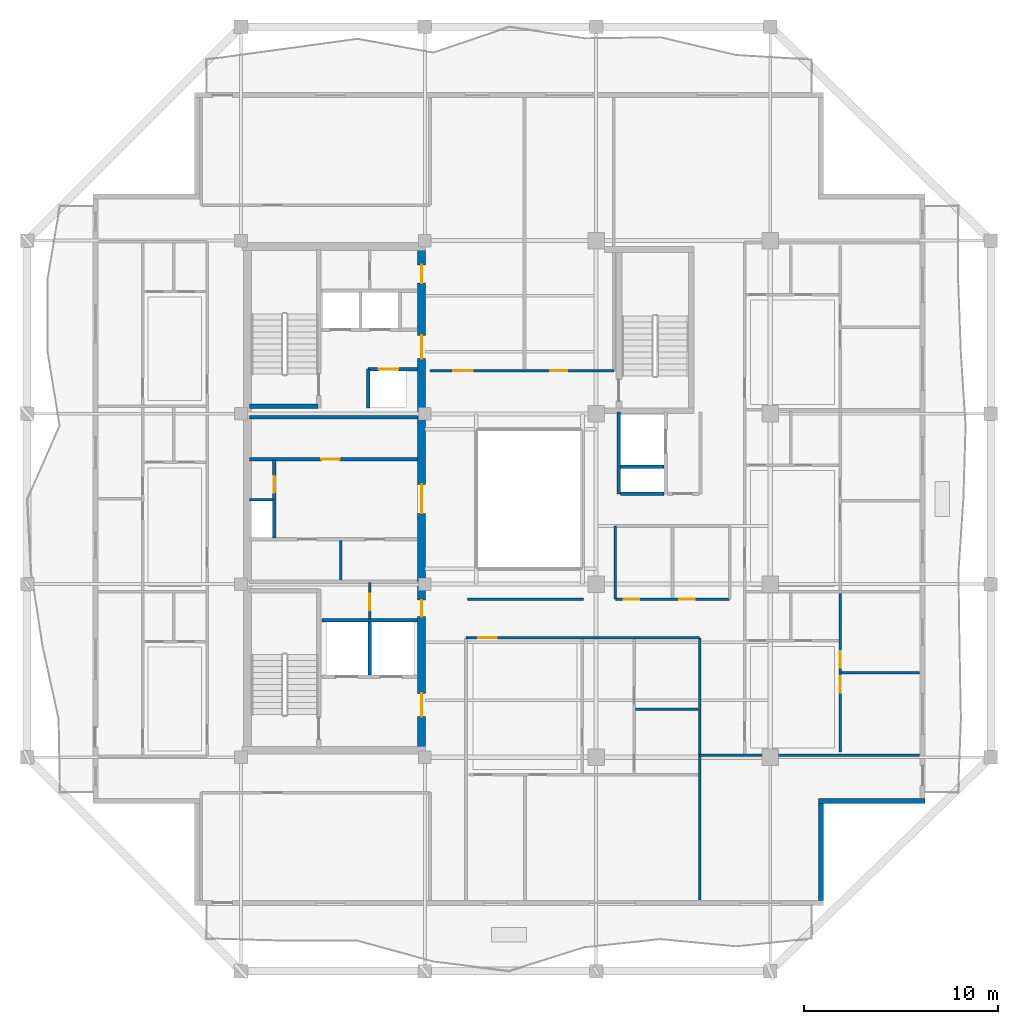
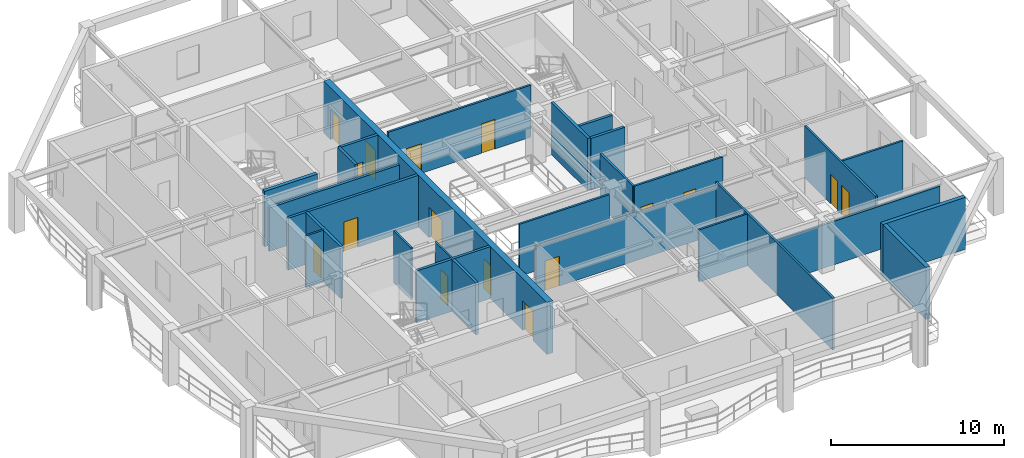
# One storey, part 4 of 13: 27 walls, 16 doors, 16 openings.
"""IFC4 building model written with IfcOpenShell, lengths in metres."""

from ifc_helpers import new_model, si_unit, direction, frame, frame_2d, origin, place, context, subcontext, project, spatial, rectangle, extrude, material, layer, layer_set, type_object, element, fill, save


model = new_model("IFC4")

# Units and contexts
model_context = context("Model", 3, precision=1e-05, world=origin(), true_north=direction((0.0, 1.0)))
body_context = subcontext(model_context, "Body", "Model", "MODEL_VIEW")
ifc_project = project(units=[si_unit("LENGTHUNIT", "METRE"), si_unit("AREAUNIT", "SQUARE_METRE"), si_unit("VOLUMEUNIT", "CUBIC_METRE"), si_unit("PLANEANGLEUNIT", "RADIAN"), si_unit("MASSUNIT", "GRAM", prefix="KILO")], contexts=[model_context])

# Site, building, storey
site_placement = place(None, origin())
site = spatial("IfcSite", under=ifc_project, at=site_placement, CompositionType="ELEMENT")
building_placement = place(site_placement, origin())
building = spatial("IfcBuilding", under=site, at=building_placement, Name="Kundavana Baori Tower", CompositionType="ELEMENT")
storey_placement = place(building_placement, frame((0.0, 0.0, 225.800048828125)))
storey = spatial("IfcBuildingStorey", under=building, at=storey_placement, Name="L55", CompositionType="ELEMENT", Elevation=225.800048828125)

# Wall, openings, doors
ifc_material_1 = material(Name="Concrete C50/60", Category="concrete")
ifc_layer_1 = layer(ifc_material_1, 0.39990234375, Name="WL-CORE-400")
ifc_layer_set_1 = layer_set([ifc_layer_1], Name="Concrete C50/60")
wall_type_1 = type_object("IfcWallType", Name="WL-CORE-400", PredefinedType="SHEAR", material=ifc_layer_set_1)
wall_1_placement = place(storey_placement, frame((24.780029296875, 15.739990234375, 0.0), z_axis=(0.0, 0.0, 1.0), x_axis=(0.0, 1.0, 0.0)))
wall_1 = element("IfcWall", 1, at=wall_1_placement, inside=storey, type_object=wall_type_1, Name="L55 Offset Core East Shear Wall", PredefinedType="SHEAR", context=body_context, shape_type="SweptSolid", body=[
    extrude(rectangle(XDim=25.760009765625, YDim=0.39990234375, at=frame_2d((12.8798828125, 0.0))), origin(), (0.0, 0.0, 1.0), 3.659912109375),
])
opening_1_placement = place(wall_1_placement, frame((1.610107421875, 0.0, 0.0)))
opening_1 = element("IfcOpeningElement", 2, at=opening_1_placement, cuts=wall_1, Name="Opening FD-120", PredefinedType="OPENING", context=body_context, shape_type="SweptSolid", body=[
    extrude(rectangle(XDim=1.199951171875, YDim=2.10009765625, at=frame_2d((0.60009765625, 1.050048828125))), frame((0.0, 0.2099609375, 0.0), z_axis=(0.0, -1.0, 0.0), x_axis=(1.0, 0.0, 0.0)), (0.0, 0.0, 1.0), 0.419921875),
])
opening_2_placement = place(wall_1_placement, frame((6.780029296875, 0.0, 0.0)))
opening_2 = element("IfcOpeningElement", 3, at=opening_2_placement, cuts=wall_1, Name="Opening FD-085", PredefinedType="OPENING", context=body_context, shape_type="SweptSolid", body=[
    extrude(rectangle(XDim=0.85009765625, YDim=2.06005859375, at=frame_2d((0.425048828125, 1.030029296875))), frame((0.0, 0.2099609375, 0.0), z_axis=(0.0, -1.0, 0.0), x_axis=(1.0, 0.0, 0.0)), (0.0, 0.0, 1.0), 0.419921875),
])
opening_3_placement = place(wall_1_placement, frame((12.110107421875, 0.0, 0.0)))
opening_3 = element("IfcOpeningElement", 4, at=opening_3_placement, cuts=wall_1, Name="Opening FD-150", PredefinedType="OPENING", context=body_context, shape_type="SweptSolid", body=[
    extrude(rectangle(XDim=1.5, YDim=2.1201171875, at=frame_2d((0.75, 1.06005859375))), frame((0.0, 0.2099609375, 0.0), z_axis=(0.0, -1.0, 0.0), x_axis=(1.0, 0.0, 0.0)), (0.0, 0.0, 1.0), 0.419921875),
])
opening_4_placement = place(wall_1_placement, frame((20.110107421875, 0.0, 0.0)))
opening_4 = element("IfcOpeningElement", 5, at=opening_4_placement, cuts=wall_1, Name="Opening FD-122", PredefinedType="OPENING", context=body_context, shape_type="SweptSolid", body=[
    extrude(rectangle(XDim=1.199951171875, YDim=2.1201171875, at=frame_2d((0.60009765625, 1.06005859375))), frame((0.0, 0.2099609375, 0.0), z_axis=(0.0, -1.0, 0.0), x_axis=(1.0, 0.0, 0.0)), (0.0, 0.0, 1.0), 0.419921875),
])
opening_5_placement = place(wall_1_placement, frame((24.010009765625, 0.0, 0.0)))
opening_5 = element("IfcOpeningElement", 6, at=opening_5_placement, cuts=wall_1, Name="Opening FD-095", PredefinedType="OPENING", context=body_context, shape_type="SweptSolid", body=[
    extrude(rectangle(XDim=0.949951171875, YDim=2.10009765625, at=frame_2d((0.47509765625, 1.050048828125))), frame((0.0, 0.2099609375, 0.0), z_axis=(0.0, -1.0, 0.0), x_axis=(1.0, 0.0, 0.0)), (0.0, 0.0, 1.0), 0.419921875),
])
ifc_material_2 = material(Name="Galvanised Steel Fire-Rated Door Leaf", Category="steel")
door_type_1 = type_object("IfcDoorType", Name="DR-FD120-1200", OperationType="NOTDEFINED", PredefinedType="DOOR", material=ifc_material_2)
door_1_placement = place(opening_1_placement, frame((1.199951171875, 0.0, 0.0), z_axis=(0.0, 0.0, 1.0), x_axis=(-1.0, 0.0, 0.0)))
door_1 = element("IfcDoor", 7, at=door_1_placement, inside=storey, type_object=door_type_1, Name="DR-L55-FFLOB-E", OperationType="SINGLE_SWING_RIGHT", OverallHeight=2.10009765625, OverallWidth=1.199951171875, PredefinedType="DOOR", context=body_context, shape_type="SweptSolid", body=[
    extrude(rectangle(XDim=1.199951171875, YDim=2.10009765625, at=frame_2d((0.60009765625, 1.050048828125))), frame((0.0, 0.02490234375, 0.0), z_axis=(0.0, -1.0, 0.0), x_axis=(1.0, 0.0, 0.0)), (0.0, 0.0, 1.0), 0.050048828125),
])
fill(opening_1, door_1)
ifc_material_3 = material(Name="Galvanised Steel Fire-Rated Door Leaf", Category="steel")
door_type_2 = type_object("IfcDoorType", Name="DR-FD60-1200", OperationType="NOTDEFINED", PredefinedType="DOOR", material=ifc_material_3)
door_2_placement = place(opening_4_placement, frame((1.199951171875, 0.0, 0.0), z_axis=(0.0, 0.0, 1.0), x_axis=(-1.0, 0.0, 0.0)))
door_2 = element("IfcDoor", 8, at=door_2_placement, inside=storey, type_object=door_type_2, Name="DR-L55-HRLOB-E", OperationType="SINGLE_SWING_RIGHT", OverallHeight=2.1201171875, OverallWidth=1.199951171875, PredefinedType="DOOR", context=body_context, shape_type="SweptSolid", body=[
    extrude(rectangle(XDim=1.199951171875, YDim=2.1201171875, at=frame_2d((0.60009765625, 1.06005859375))), frame((0.0, 0.02490234375, 0.0), z_axis=(0.0, -1.0, 0.0), x_axis=(1.0, 0.0, 0.0)), (0.0, 0.0, 1.0), 0.050048828125),
])
fill(opening_4, door_2)
ifc_material_4 = material(Name="Galvanised Steel Fire-Rated Door Leaf", Category="steel")
door_type_3 = type_object("IfcDoorType", Name="DR-FD60-1500", OperationType="NOTDEFINED", PredefinedType="DOOR", material=ifc_material_4)
door_3_placement = place(opening_3_placement, frame((1.5, 0.0, 0.0), z_axis=(0.0, 0.0, 1.0), x_axis=(-1.0, 0.0, 0.0)))
door_3 = element("IfcDoor", 9, at=door_3_placement, inside=storey, type_object=door_type_3, Name="DR-L55-LIFTHALL-E", OperationType="SINGLE_SWING_LEFT", OverallHeight=2.1201171875, OverallWidth=1.5, PredefinedType="DOOR", context=body_context, shape_type="SweptSolid", body=[
    extrude(rectangle(XDim=1.5, YDim=2.1201171875, at=frame_2d((0.75, 1.06005859375))), frame((0.0, 0.02490234375, 0.0), z_axis=(0.0, -1.0, 0.0), x_axis=(1.0, 0.0, 0.0)), (0.0, 0.0, 1.0), 0.050048828125),
])
fill(opening_3, door_3)
ifc_material_5 = material(Name="Galvanised Steel Fire-Rated Door Leaf", Category="steel")
door_type_4 = type_object("IfcDoorType", Name="DR-FD60-850", OperationType="NOTDEFINED", PredefinedType="DOOR", material=ifc_material_5)
door_4_placement = place(opening_2_placement, frame((0.85009765625, 0.0, 0.0), z_axis=(0.0, 0.0, 1.0), x_axis=(-1.0, 0.0, 0.0)))
door_4 = element("IfcDoor", 10, at=door_4_placement, inside=storey, type_object=door_type_4, Name="DR-L55-CSMK2", OperationType="SINGLE_SWING_RIGHT", OverallHeight=2.06005859375, OverallWidth=0.85009765625, PredefinedType="DOOR", context=body_context, shape_type="SweptSolid", body=[
    extrude(rectangle(XDim=0.85009765625, YDim=2.06005859375, at=frame_2d((0.425048828125, 1.030029296875))), frame((0.0, 0.02490234375, 0.0), z_axis=(0.0, -1.0, 0.0), x_axis=(1.0, 0.0, 0.0)), (0.0, 0.0, 1.0), 0.050048828125),
])
fill(opening_2, door_4)
ifc_material_6 = material(Name="Engineered Teak Fire-Rated Timber Door Leaf", Category="wood")
door_type_5 = type_object("IfcDoorType", Name="DR-FD60-950", OperationType="NOTDEFINED", PredefinedType="DOOR", material=ifc_material_6)
door_5_placement = place(opening_5_placement, frame((0.949951171875, 0.0, 0.0), z_axis=(0.0, 0.0, 1.0), x_axis=(-1.0, 0.0, 0.0)))
door_5 = element("IfcDoor", 11, at=door_5_placement, inside=storey, type_object=door_type_5, Name="DR-L55-CSRV2", OperationType="SINGLE_SWING_RIGHT", OverallHeight=2.10009765625, OverallWidth=0.949951171875, PredefinedType="DOOR", context=body_context, shape_type="SweptSolid", body=[
    extrude(rectangle(XDim=0.949951171875, YDim=2.10009765625, at=frame_2d((0.47509765625, 1.050048828125))), frame((0.0, 0.02490234375, 0.0), z_axis=(0.0, -1.0, 0.0), x_axis=(1.0, 0.0, 0.0)), (0.0, 0.0, 1.0), 0.050048828125),
])
fill(opening_5, door_5)

# Walls
wall_2_placement = place(storey_placement, frame((15.89990234375, 33.389892578125, 0.0), z_axis=(0.0, 0.0, 1.0), x_axis=(1.0, 0.0, 0.0)))
element("IfcWall", 12, at=wall_2_placement, inside=storey, type_object=wall_type_1, Name="WL-L55-ST2-S", PredefinedType="SHEAR", context=body_context, shape_type="SweptSolid", body=[
    extrude(rectangle(XDim=3.52001953125, YDim=0.239990234375, at=frame_2d((1.760009765625, 0.0))), origin(), (0.0, 0.0, 1.0), 3.89990234375),
])
ifc_material_7 = material(Name="Kiln-Fired Terracotta Brick-Slip Masonry on Concrete C40/50", Category="masonry")
ifc_layer_2 = layer(ifc_material_7, 0.260009765625, Name="WL-EXT-BRK-260")
ifc_layer_set_2 = layer_set([ifc_layer_2], Name="Kiln-Fired Terracotta Brick-Slip Masonry on Concrete C40/50")
wall_type_2 = type_object("IfcWallType", Name="WL-EXT-BRK-260", PredefinedType="SOLIDWALL", material=ifc_layer_set_2)
wall_3_placement = place(storey_placement, frame((45.419921875, 7.860107421875, 0.0), z_axis=(0.0, 0.0, 1.0), x_axis=(0.0, 1.0, 0.0)))
element("IfcWall", 13, at=wall_3_placement, inside=storey, type_object=wall_type_2, Name="L55 Exterior Insulated Facade Wall 02", PredefinedType="SOLIDWALL", context=body_context, shape_type="SweptSolid", body=[
    extrude(rectangle(XDim=4.989990234375, YDim=0.260009765625, at=frame_2d((2.4951171875, 0.0))), origin(), (0.0, 0.0, 1.0), 3.659912109375),
])
wall_4_placement = place(storey_placement, frame((45.2900390625, 12.97998046875, 0.0), z_axis=(0.0, 0.0, 1.0), x_axis=(1.0, 0.0, 0.0)))
element("IfcWall", 14, at=wall_4_placement, inside=storey, type_object=wall_type_2, Name="L55 Exterior Insulated Facade Wall 03", PredefinedType="SOLIDWALL", context=body_context, shape_type="SweptSolid", body=[
    extrude(rectangle(XDim=5.510009765625, YDim=0.260009765625, at=frame_2d((2.7548828125, 0.0))), origin(), (0.0, 0.0, 1.0), 3.659912109375),
])

# Wall, opening, door
ifc_material_8 = material(Name="Acoustic Gypsum Plasterboard on Galvanised Steel Studs", Category="steel")
ifc_layer_3 = layer(ifc_material_8, 0.1201171875, Name="WL-PART-120")
ifc_layer_set_3 = layer_set([ifc_layer_3], Name="Acoustic Gypsum Plasterboard on Galvanised Steel Studs")
wall_type_3 = type_object("IfcWallType", Name="WL-PART-120", PredefinedType="PARTITIONING", material=ifc_layer_set_3)
wall_5_placement = place(storey_placement, frame((22.10009765625, 22.39990234375, 0.0), z_axis=(0.0, 0.0, 1.0), x_axis=(0.0, 1.0, 0.0)))
wall_5 = element("IfcWall", 15, at=wall_5_placement, inside=storey, type_object=wall_type_3, Name="WL-L55-CSMK-D1", PredefinedType="PARTITIONING", context=body_context, shape_type="SweptSolid", body=[
    extrude(rectangle(XDim=1.880126953125, YDim=0.1201171875, at=frame_2d((0.93994140625, 0.0))), origin(), (0.0, 0.0, 1.0), 3.659912109375),
])
opening_6_placement = place(wall_5_placement, frame((0.449951171875, 0.0, 0.0)))
opening_6 = element("IfcOpeningElement", 16, at=opening_6_placement, cuts=wall_5, Name="Opening FD-085", PredefinedType="OPENING", context=body_context, shape_type="SweptSolid", body=[
    extrude(rectangle(XDim=0.85009765625, YDim=2.06005859375, at=frame_2d((0.425048828125, 1.030029296875))), frame((0.0, 0.070068359375, 0.0), z_axis=(0.0, -1.0, 0.0), x_axis=(1.0, 0.0, 0.0)), (0.0, 0.0, 1.0), 0.14013671875),
])
door_6_placement = place(opening_6_placement, origin())
door_6 = element("IfcDoor", 17, at=door_6_placement, inside=storey, type_object=door_type_4, Name="DR-L55-CSMK1", OperationType="SINGLE_SWING_LEFT", OverallHeight=2.06005859375, OverallWidth=0.85009765625, PredefinedType="DOOR", context=body_context, shape_type="SweptSolid", body=[
    extrude(rectangle(XDim=0.85009765625, YDim=2.06005859375, at=frame_2d((0.425048828125, 1.030029296875))), frame((0.0, 0.02490234375, 0.0), z_axis=(0.0, -1.0, 0.0), x_axis=(1.0, 0.0, 0.0)), (0.0, 0.0, 1.0), 0.050048828125),
])
fill(opening_6, door_6)

# Walls
wall_6_placement = place(storey_placement, frame((20.60009765625, 24.419921875, 0.0), z_axis=(0.0, 0.0, 1.0), x_axis=(0.0, 1.0, 0.0)))
element("IfcWall", 18, at=wall_6_placement, inside=storey, type_object=wall_type_3, Name="WL-L55-FRLOW-DIV", PredefinedType="PARTITIONING", context=body_context, shape_type="SweptSolid", body=[
    extrude(rectangle(XDim=2.02001953125, YDim=0.1201171875, at=frame_2d((1.010009765625, 0.0))), origin(), (0.0, 0.0, 1.0), 3.659912109375),
])
wall_7_placement = place(storey_placement, frame((15.89990234375, 28.56005859375, 0.0), z_axis=(0.0, 0.0, 1.0), x_axis=(1.0, 0.0, 0.0)))
element("IfcWall", 19, at=wall_7_placement, inside=storey, type_object=wall_type_3, Name="WL-L55-RSRW-N", PredefinedType="PARTITIONING", context=body_context, shape_type="SweptSolid", body=[
    extrude(rectangle(XDim=1.2001953125, YDim=0.1201171875, at=frame_2d((0.60009765625, 0.0))), origin(), (0.0, 0.0, 1.0), 3.659912109375),
])

# Wall, opening, door
ifc_material_9 = material(Name="Acoustic Gypsum Plasterboard on Galvanised Steel Studs", Category="steel")
ifc_layer_4 = layer(ifc_material_9, 0.135009765625, Name="WL-PART-135")
ifc_layer_set_4 = layer_set([ifc_layer_4], Name="Acoustic Gypsum Plasterboard on Galvanised Steel Studs")
wall_type_4 = type_object("IfcWallType", Name="WL-PART-135", PredefinedType="PARTITIONING", material=ifc_layer_set_4)
wall_8_placement = place(storey_placement, frame((27.080078125, 21.419921875, 0.0), z_axis=(0.0, 0.0, 1.0), x_axis=(1.0, 0.0, 0.0)))
wall_8 = element("IfcWall", 20, at=wall_8_placement, inside=storey, type_object=wall_type_4, Name="WL-L55-RS", PredefinedType="PARTITIONING", context=body_context, shape_type="SweptSolid", body=[
    extrude(rectangle(XDim=12.06982421875, YDim=0.135009765625, at=frame_2d((6.034912109375, 0.0))), origin(), (0.0, 0.0, 1.0), 3.31005859375),
])
opening_7_placement = place(wall_8_placement, frame((0.6298828125, 0.0, 0.0)))
opening_7 = element("IfcOpeningElement", 21, at=opening_7_placement, cuts=wall_8, Name="Opening FD-095", PredefinedType="OPENING", context=body_context, shape_type="SweptSolid", body=[
    extrude(rectangle(XDim=0.949951171875, YDim=2.10009765625, at=frame_2d((0.47509765625, 1.050048828125))), frame((0.0, 0.07763671875, 0.0), z_axis=(0.0, -1.0, 0.0), x_axis=(1.0, 0.0, 0.0)), (0.0, 0.0, 1.0), 0.155029296875),
])
door_7_placement = place(opening_7_placement, frame((0.949951171875, 0.0, 0.0), z_axis=(0.0, 0.0, 1.0), x_axis=(-1.0, 0.0, 0.0)))
door_7 = element("IfcDoor", 22, at=door_7_placement, inside=storey, type_object=door_type_5, Name="DR-L55-S1-ENT", OperationType="SINGLE_SWING_RIGHT", OverallHeight=2.10009765625, OverallWidth=0.949951171875, PredefinedType="DOOR", context=body_context, shape_type="SweptSolid", body=[
    extrude(rectangle(XDim=0.949951171875, YDim=2.10009765625, at=frame_2d((0.47509765625, 1.050048828125))), frame((0.0, 0.02490234375, 0.0), z_axis=(0.0, -1.0, 0.0), x_axis=(1.0, 0.0, 0.0)), (0.0, 0.0, 1.0), 0.050048828125),
])
fill(opening_7, door_7)

# Wall
wall_9_placement = place(storey_placement, frame((27.14990234375, 23.419921875, 0.0), z_axis=(0.0, 0.0, 1.0), x_axis=(1.0, 0.0, 0.0)))
element("IfcWall", 23, at=wall_9_placement, inside=storey, type_object=wall_type_4, Name="WL-L55-RST", PredefinedType="PARTITIONING", context=body_context, shape_type="SweptSolid", body=[
    extrude(rectangle(XDim=6.0, YDim=0.135009765625, at=frame_2d((3.0, 0.0))), origin(), (0.0, 0.0, 1.0), 3.659912109375),
])

# Wall, openings, doors
wall_10_placement = place(storey_placement, frame((25.219970703125, 35.219970703125, 0.0), z_axis=(0.0, 0.0, 1.0), x_axis=(1.0, 0.0, 0.0)))
wall_10 = element("IfcWall", 24, at=wall_10_placement, inside=storey, type_object=wall_type_4, Name="WL-L55-RN", PredefinedType="PARTITIONING", context=body_context, shape_type="SweptSolid", body=[
    extrude(rectangle(XDim=9.5, YDim=0.135009765625, at=frame_2d((4.75, 0.0))), origin(), (0.0, 0.0, 1.0), 3.659912109375),
])
opening_8_placement = place(wall_10_placement, frame((1.199951171875, 0.0, 0.0)))
opening_8 = element("IfcOpeningElement", 25, at=opening_8_placement, cuts=wall_10, Name="Opening ID-100", PredefinedType="OPENING", context=body_context, shape_type="SweptSolid", body=[
    extrude(rectangle(XDim=1.0, YDim=2.080078125, at=frame_2d((0.5, 1.0400390625))), frame((0.0, 0.07763671875, 0.0), z_axis=(0.0, -1.0, 0.0), x_axis=(1.0, 0.0, 0.0)), (0.0, 0.0, 1.0), 0.155029296875),
])
opening_9_placement = place(wall_10_placement, frame((6.199951171875, 0.0, 0.0)))
opening_9 = element("IfcOpeningElement", 26, at=opening_9_placement, cuts=wall_10, Name="Opening ID-090", PredefinedType="OPENING", context=body_context, shape_type="SweptSolid", body=[
    extrude(rectangle(XDim=0.89990234375, YDim=2.080078125, at=frame_2d((0.449951171875, 1.0400390625))), frame((0.0, 0.07763671875, 0.0), z_axis=(0.0, -1.0, 0.0), x_axis=(1.0, 0.0, 0.0)), (0.0, 0.0, 1.0), 0.155029296875),
])
ifc_material_10 = material(Name="Engineered Teak Solid-Core Timber Veneer", Category="wood")
door_type_6 = type_object("IfcDoorType", Name="DR-INT-1000", OperationType="NOTDEFINED", PredefinedType="DOOR", material=ifc_material_10)
door_8_placement = place(opening_8_placement, origin())
door_8 = element("IfcDoor", 27, at=door_8_placement, inside=storey, type_object=door_type_6, Name="DR-L55-RLN1", OperationType="SINGLE_SWING_LEFT", OverallHeight=2.080078125, OverallWidth=1.0, PredefinedType="DOOR", context=body_context, shape_type="SweptSolid", body=[
    extrude(rectangle(XDim=1.0, YDim=2.080078125, at=frame_2d((0.5, 1.0400390625))), frame((0.0, 0.02490234375, 0.0), z_axis=(0.0, -1.0, 0.0), x_axis=(1.0, 0.0, 0.0)), (0.0, 0.0, 1.0), 0.050048828125),
])
fill(opening_8, door_8)
ifc_material_11 = material(Name="Engineered Teak Solid-Core Timber Veneer", Category="wood")
door_type_7 = type_object("IfcDoorType", Name="DR-INT-900", OperationType="NOTDEFINED", PredefinedType="DOOR", material=ifc_material_11)
door_9_placement = place(opening_9_placement, origin())
door_9 = element("IfcDoor", 28, at=door_9_placement, inside=storey, type_object=door_type_7, Name="DR-L55-RLN2", OperationType="SINGLE_SWING_RIGHT", OverallHeight=2.080078125, OverallWidth=0.89990234375, PredefinedType="DOOR", context=body_context, shape_type="SweptSolid", body=[
    extrude(rectangle(XDim=0.89990234375, YDim=2.080078125, at=frame_2d((0.449951171875, 1.0400390625))), frame((0.0, 0.02490234375, 0.0), z_axis=(0.0, -1.0, 0.0), x_axis=(1.0, 0.0, 0.0)), (0.0, 0.0, 1.0), 0.050048828125),
])
fill(opening_9, door_9)

# Walls
wall_11_placement = place(storey_placement, frame((39.14990234375, 7.8798828125, 0.0), z_axis=(0.0, 0.0, 1.0), x_axis=(0.0, 1.0, 0.0)))
element("IfcWall", 29, at=wall_11_placement, inside=storey, type_object=wall_type_4, Name="WL-L55-RSEND", PredefinedType="PARTITIONING", context=body_context, shape_type="SweptSolid", body=[
    extrude(rectangle(XDim=13.5400390625, YDim=0.135009765625, at=frame_2d((6.77001953125, 0.0))), origin(), (0.0, 0.0, 1.0), 3.659912109375),
])
wall_12_placement = place(storey_placement, frame((39.14990234375, 15.35009765625, 0.0), z_axis=(0.0, 0.0, 1.0), x_axis=(1.0, 0.0, 0.0)))
element("IfcWall", 30, at=wall_12_placement, inside=storey, type_object=wall_type_4, Name="WL-L55-RES", PredefinedType="PARTITIONING", context=body_context, shape_type="SweptSolid", body=[
    extrude(rectangle(XDim=11.3701171875, YDim=0.135009765625, at=frame_2d((5.68505859375, 0.0))), origin(), (0.0, 0.0, 1.0), 3.06005859375),
])

# Wall, openings, doors
wall_13_placement = place(storey_placement, frame((46.407958984375, 15.530029296875, 0.0), z_axis=(0.0, 0.0, 1.0), x_axis=(0.0, 1.0, 0.0)))
wall_13 = element("IfcWall", 31, at=wall_13_placement, inside=storey, type_object=wall_type_4, Name="WL-L55-E1-VT", PredefinedType="PARTITIONING", context=body_context, shape_type="SweptSolid", body=[
    extrude(rectangle(XDim=8.18994140625, YDim=0.135009765625, at=frame_2d((4.094970703125, 0.0))), origin(), (0.0, 0.0, 1.0), 3.659912109375),
])
opening_10_placement = place(wall_13_placement, frame((3.044921875, 0.0, 0.0)))
opening_10 = element("IfcOpeningElement", 32, at=opening_10_placement, cuts=wall_13, Name="Opening ID-085", PredefinedType="OPENING", context=body_context, shape_type="SweptSolid", body=[
    extrude(rectangle(XDim=0.85009765625, YDim=2.080078125, at=frame_2d((0.425048828125, 1.0400390625))), frame((0.0, 0.07763671875, 0.0), z_axis=(0.0, -1.0, 0.0), x_axis=(1.0, 0.0, 0.0)), (0.0, 0.0, 1.0), 0.155029296875),
])
opening_11_placement = place(wall_13_placement, frame((4.344970703125, 0.0, 0.0)))
opening_11 = element("IfcOpeningElement", 33, at=opening_11_placement, cuts=wall_13, Name="Opening ID-085", PredefinedType="OPENING", context=body_context, shape_type="SweptSolid", body=[
    extrude(rectangle(XDim=0.85009765625, YDim=2.080078125, at=frame_2d((0.425048828125, 1.0400390625))), frame((0.0, 0.07763671875, 0.0), z_axis=(0.0, -1.0, 0.0), x_axis=(1.0, 0.0, 0.0)), (0.0, 0.0, 1.0), 0.155029296875),
])
ifc_material_12 = material(Name="Engineered Teak Solid-Core Timber Veneer", Category="wood")
door_type_8 = type_object("IfcDoorType", Name="DR-INT-850", OperationType="NOTDEFINED", PredefinedType="DOOR", material=ifc_material_12)
door_10_placement = place(opening_10_placement, origin())
door_10 = element("IfcDoor", 34, at=door_10_placement, inside=storey, type_object=door_type_8, Name="DR-L55-E1-B1", OperationType="SINGLE_SWING_LEFT", OverallHeight=2.080078125, OverallWidth=0.85009765625, PredefinedType="DOOR", context=body_context, shape_type="SweptSolid", body=[
    extrude(rectangle(XDim=0.85009765625, YDim=2.080078125, at=frame_2d((0.425048828125, 1.0400390625))), frame((0.0, 0.02490234375, 0.0), z_axis=(0.0, -1.0, 0.0), x_axis=(1.0, 0.0, 0.0)), (0.0, 0.0, 1.0), 0.050048828125),
])
fill(opening_10, door_10)
door_11_placement = place(opening_11_placement, origin())
door_11 = element("IfcDoor", 35, at=door_11_placement, inside=storey, type_object=door_type_8, Name="DR-L55-E1-B2", OperationType="SINGLE_SWING_RIGHT", OverallHeight=2.080078125, OverallWidth=0.85009765625, PredefinedType="DOOR", context=body_context, shape_type="SweptSolid", body=[
    extrude(rectangle(XDim=0.85009765625, YDim=2.080078125, at=frame_2d((0.425048828125, 1.0400390625))), frame((0.0, 0.02490234375, 0.0), z_axis=(0.0, -1.0, 0.0), x_axis=(1.0, 0.0, 0.0)), (0.0, 0.0, 1.0), 0.050048828125),
])
fill(opening_11, door_11)

# Wall
wall_14_placement = place(storey_placement, frame((46.488037109375, 19.625, 0.0), z_axis=(0.0, 0.0, 1.0), x_axis=(1.0, 0.0, 0.0)))
element("IfcWall", 36, at=wall_14_placement, inside=storey, type_object=wall_type_4, Name="WL-L55-E1-BDH", PredefinedType="PARTITIONING", context=body_context, shape_type="SweptSolid", body=[
    extrude(rectangle(XDim=4.031982421875, YDim=0.135009765625, at=frame_2d((2.01611328125, 0.0))), origin(), (0.0, 0.0, 1.0), 3.659912109375),
])

# Wall, openings, doors
wall_15_placement = place(storey_placement, frame((34.800048828125, 23.419921875, 0.0), z_axis=(0.0, 0.0, 1.0), x_axis=(1.0, 0.0, 0.0)))
wall_15 = element("IfcWall", 37, at=wall_15_placement, inside=storey, type_object=wall_type_4, Name="WL-L55-ALS", PredefinedType="PARTITIONING", context=body_context, shape_type="SweptSolid", body=[
    extrude(rectangle(XDim=5.89990234375, YDim=0.135009765625, at=frame_2d((2.949951171875, 0.0))), origin(), (0.0, 0.0, 1.0), 3.659912109375),
])
opening_12_placement = place(wall_15_placement, frame((0.429931640625, 0.0, 0.0)))
opening_12 = element("IfcOpeningElement", 38, at=opening_12_placement, cuts=wall_15, Name="Opening WD-080", PredefinedType="OPENING", context=body_context, shape_type="SweptSolid", body=[
    extrude(rectangle(XDim=0.800048828125, YDim=2.050048828125, at=frame_2d((0.39990234375, 1.02490234375))), frame((0.0, 0.07763671875, 0.0), z_axis=(0.0, -1.0, 0.0), x_axis=(1.0, 0.0, 0.0)), (0.0, 0.0, 1.0), 0.155029296875),
])
opening_13_placement = place(wall_15_placement, frame((3.300048828125, 0.0, 0.0)))
opening_13 = element("IfcOpeningElement", 39, at=opening_13_placement, cuts=wall_15, Name="Opening WD-080", PredefinedType="OPENING", context=body_context, shape_type="SweptSolid", body=[
    extrude(rectangle(XDim=0.800048828125, YDim=2.050048828125, at=frame_2d((0.39990234375, 1.02490234375))), frame((0.0, 0.07763671875, 0.0), z_axis=(0.0, -1.0, 0.0), x_axis=(1.0, 0.0, 0.0)), (0.0, 0.0, 1.0), 0.155029296875),
])
ifc_material_13 = material(Name="Engineered Teak Solid-Core Timber Veneer", Category="wood")
door_type_9 = type_object("IfcDoorType", Name="DR-WET-800", OperationType="NOTDEFINED", PredefinedType="DOOR", material=ifc_material_13)
door_12_placement = place(opening_12_placement, origin())
door_12 = element("IfcDoor", 40, at=door_12_placement, inside=storey, type_object=door_type_9, Name="DR-L55-RALC1", OperationType="SINGLE_SWING_LEFT", OverallHeight=2.050048828125, OverallWidth=0.800048828125, PredefinedType="DOOR", context=body_context, shape_type="SweptSolid", body=[
    extrude(rectangle(XDim=0.800048828125, YDim=2.050048828125, at=frame_2d((0.39990234375, 1.02490234375))), frame((0.0, 0.02490234375, 0.0), z_axis=(0.0, -1.0, 0.0), x_axis=(1.0, 0.0, 0.0)), (0.0, 0.0, 1.0), 0.050048828125),
])
fill(opening_12, door_12)
door_13_placement = place(opening_13_placement, origin())
door_13 = element("IfcDoor", 41, at=door_13_placement, inside=storey, type_object=door_type_9, Name="DR-L55-RALC2", OperationType="SINGLE_SWING_LEFT", OverallHeight=2.050048828125, OverallWidth=0.800048828125, PredefinedType="DOOR", context=body_context, shape_type="SweptSolid", body=[
    extrude(rectangle(XDim=0.800048828125, YDim=2.050048828125, at=frame_2d((0.39990234375, 1.02490234375))), frame((0.0, 0.02490234375, 0.0), z_axis=(0.0, -1.0, 0.0), x_axis=(1.0, 0.0, 0.0)), (0.0, 0.0, 1.0), 0.050048828125),
])
fill(opening_13, door_13)

# Walls
wall_16_placement = place(storey_placement, frame((34.800048828125, 23.419921875, 0.0), z_axis=(0.0, 0.0, 1.0), x_axis=(0.0, 1.0, 0.0)))
element("IfcWall", 42, at=wall_16_placement, inside=storey, type_object=wall_type_4, Name="WL-L55-ALW", PredefinedType="PARTITIONING", context=body_context, shape_type="SweptSolid", body=[
    extrude(rectangle(XDim=3.780029296875, YDim=0.135009765625, at=frame_2d((1.89013671875, 0.0))), origin(), (0.0, 0.0, 1.0), 3.659912109375),
])
ifc_material_14 = material(Name="Autoclaved Aerated Concrete Blockwork Masonry", Category="masonry")
ifc_layer_5 = layer(ifc_material_14, 0.179931640625, Name="WL-SHAFT-180")
ifc_layer_set_5 = layer_set([ifc_layer_5], Name="Autoclaved Aerated Concrete Blockwork Masonry")
wall_type_5 = type_object("IfcWallType", Name="WL-SHAFT-180", PredefinedType="SOLIDWALL", material=ifc_layer_set_5)
wall_17_placement = place(storey_placement, frame((22.10009765625, 19.510009765625, 0.0), z_axis=(0.0, 0.0, 1.0), x_axis=(0.0, 1.0, 0.0)))
element("IfcWall", 43, at=wall_17_placement, inside=storey, type_object=wall_type_5, Name="WL-L55-FFL-MID", PredefinedType="SOLIDWALL", context=body_context, shape_type="SweptSolid", body=[
    extrude(rectangle(XDim=2.739990234375, YDim=0.179931640625, at=frame_2d((1.3701171875, 0.0))), origin(), (0.0, 0.0, 1.0), 3.659912109375),
])
wall_18_placement = place(storey_placement, frame((19.639892578125, 22.340087890625, 0.0), z_axis=(0.0, 0.0, 1.0), x_axis=(1.0, 0.0, 0.0)))
element("IfcWall", 44, at=wall_18_placement, inside=storey, type_object=wall_type_5, Name="WL-L55-FFL-N", PredefinedType="SOLIDWALL", context=body_context, shape_type="SweptSolid", body=[
    extrude(rectangle(XDim=4.940185546875, YDim=0.179931640625, at=frame_2d((2.47021484375, 0.0))), origin(), (0.0, 0.0, 1.0), 3.659912109375),
])

# Wall, opening, door
wall_19_placement = place(storey_placement, frame((17.159912109375, 26.580078125, 0.0), z_axis=(0.0, 0.0, 1.0), x_axis=(0.0, 1.0, 0.0)))
wall_19 = element("IfcWall", 45, at=wall_19_placement, inside=storey, type_object=wall_type_5, Name="WL-L55-RSRW-E", PredefinedType="SOLIDWALL", context=body_context, shape_type="SweptSolid", body=[
    extrude(rectangle(XDim=4.02001953125, YDim=0.179931640625, at=frame_2d((2.010009765625, 0.0))), origin(), (0.0, 0.0, 1.0), 3.659912109375),
])
opening_14_placement = place(wall_19_placement, frame((2.35009765625, 0.0, 0.0)))
opening_14 = element("IfcOpeningElement", 46, at=opening_14_placement, cuts=wall_19, Name="Opening FD-085", PredefinedType="OPENING", context=body_context, shape_type="SweptSolid", body=[
    extrude(rectangle(XDim=0.85009765625, YDim=2.06005859375, at=frame_2d((0.425048828125, 1.030029296875))), frame((0.0, 0.10009765625, 0.0), z_axis=(0.0, -1.0, 0.0), x_axis=(1.0, 0.0, 0.0)), (0.0, 0.0, 1.0), 0.199951171875),
])
door_14_placement = place(opening_14_placement, origin())
door_14 = element("IfcDoor", 47, at=door_14_placement, inside=storey, type_object=door_type_4, Name="DR-L55-CLN", OperationType="SINGLE_SWING_RIGHT", OverallHeight=2.06005859375, OverallWidth=0.85009765625, PredefinedType="DOOR", context=body_context, shape_type="SweptSolid", body=[
    extrude(rectangle(XDim=0.85009765625, YDim=2.06005859375, at=frame_2d((0.425048828125, 1.030029296875))), frame((0.0, 0.02490234375, 0.0), z_axis=(0.0, -1.0, 0.0), x_axis=(1.0, 0.0, 0.0)), (0.0, 0.0, 1.0), 0.050048828125),
])
fill(opening_14, door_14)

wall_20_placement = place(storey_placement, frame((15.89990234375, 30.639892578125, 0.0), z_axis=(0.0, 0.0, 1.0), x_axis=(1.0, 0.0, 0.0)))
wall_20 = element("IfcWall", 48, at=wall_20_placement, inside=storey, type_object=wall_type_5, Name="WL-L55-LPMID-S", PredefinedType="SOLIDWALL", context=body_context, shape_type="SweptSolid", body=[
    extrude(rectangle(XDim=8.68017578125, YDim=0.179931640625, at=frame_2d((4.340087890625, 0.0))), origin(), (0.0, 0.0, 1.0), 3.659912109375),
])
opening_15_placement = place(wall_20_placement, frame((3.699951171875, 0.0, 0.0)))
opening_15 = element("IfcOpeningElement", 49, at=opening_15_placement, cuts=wall_20, Name="Opening FD-095", PredefinedType="OPENING", context=body_context, shape_type="SweptSolid", body=[
    extrude(rectangle(XDim=0.949951171875, YDim=2.10009765625, at=frame_2d((0.47509765625, 1.050048828125))), frame((0.0, 0.10009765625, 0.0), z_axis=(0.0, -1.0, 0.0), x_axis=(1.0, 0.0, 0.0)), (0.0, 0.0, 1.0), 0.199951171875),
])
door_15_placement = place(opening_15_placement, frame((0.949951171875, 0.0, 0.0), z_axis=(0.0, 0.0, 1.0), x_axis=(-1.0, 0.0, 0.0)))
door_15 = element("IfcDoor", 50, at=door_15_placement, inside=storey, type_object=door_type_5, Name="DR-L55-FRMID1", OperationType="SINGLE_SWING_RIGHT", OverallHeight=2.10009765625, OverallWidth=0.949951171875, PredefinedType="DOOR", context=body_context, shape_type="SweptSolid", body=[
    extrude(rectangle(XDim=0.949951171875, YDim=2.10009765625, at=frame_2d((0.47509765625, 1.050048828125))), frame((0.0, 0.02490234375, 0.0), z_axis=(0.0, -1.0, 0.0), x_axis=(1.0, 0.0, 0.0)), (0.0, 0.0, 1.0), 0.050048828125),
])
fill(opening_15, door_15)

# Wall
wall_21_placement = place(storey_placement, frame((15.89990234375, 32.820068359375, 0.0), z_axis=(0.0, 0.0, 1.0), x_axis=(1.0, 0.0, 0.0)))
element("IfcWall", 51, at=wall_21_placement, inside=storey, type_object=wall_type_5, Name="WL-L55-LPMID-N", PredefinedType="SOLIDWALL", context=body_context, shape_type="SweptSolid", body=[
    extrude(rectangle(XDim=8.68017578125, YDim=0.179931640625, at=frame_2d((4.340087890625, 0.0))), origin(), (0.0, 0.0, 1.0), 3.06005859375),
])

# Wall, opening, door
wall_22_placement = place(storey_placement, frame((22.02001953125, 35.31005859375, 0.0), z_axis=(0.0, 0.0, 1.0), x_axis=(1.0, 0.0, 0.0)))
wall_22 = element("IfcWall", 52, at=wall_22_placement, inside=storey, type_object=wall_type_5, Name="WL-L55-LP11-N", PredefinedType="SOLIDWALL", context=body_context, shape_type="SweptSolid", body=[
    extrude(rectangle(XDim=2.56005859375, YDim=0.179931640625, at=frame_2d((1.280029296875, 0.0))), origin(), (0.0, 0.0, 1.0), 3.659912109375),
])
opening_16_placement = place(wall_22_placement, frame((0.550048828125, 0.0, 0.0)))
opening_16 = element("IfcOpeningElement", 53, at=opening_16_placement, cuts=wall_22, Name="Opening LD-100", PredefinedType="OPENING", context=body_context, shape_type="SweptSolid", body=[
    extrude(rectangle(XDim=1.0, YDim=2.10009765625, at=frame_2d((0.5, 1.050048828125))), frame((0.0, 0.10009765625, 0.0), z_axis=(0.0, -1.0, 0.0), x_axis=(1.0, 0.0, 0.0)), (0.0, 0.0, 1.0), 0.199951171875),
])
ifc_material_15 = material(Name="Galvanised Steel Fire-Rated Door Leaf", Category="steel")
door_type_10 = type_object("IfcDoorType", Name="DR-SLIDE-LD1000", OperationType="NOTDEFINED", PredefinedType="DOOR", material=ifc_material_15)
door_16_placement = place(opening_16_placement, origin())
door_16 = element("IfcDoor", 54, at=door_16_placement, inside=storey, type_object=door_type_10, Name="DR-L55-LD-LP11", OperationType="DOUBLE_DOOR_SLIDING", OverallHeight=2.10009765625, OverallWidth=1.0, PredefinedType="DOOR", context=body_context, shape_type="SweptSolid", body=[
    extrude(rectangle(XDim=1.0, YDim=2.10009765625, at=frame_2d((0.5, 1.050048828125))), frame((0.0, 0.02490234375, 0.0), z_axis=(0.0, -1.0, 0.0), x_axis=(1.0, 0.0, 0.0)), (0.0, 0.0, 1.0), 0.050048828125),
])
fill(opening_16, door_16)

# Walls
wall_23_placement = place(storey_placement, frame((22.02001953125, 33.300048828125, 0.0), z_axis=(0.0, 0.0, 1.0), x_axis=(0.0, 1.0, 0.0)))
element("IfcWall", 55, at=wall_23_placement, inside=storey, type_object=wall_type_5, Name="WL-L55-LP11-W", PredefinedType="SOLIDWALL", context=body_context, shape_type="SweptSolid", body=[
    extrude(rectangle(XDim=2.010009765625, YDim=0.179931640625, at=frame_2d((1.0048828125, 0.0))), origin(), (0.0, 0.0, 1.0), 3.659912109375),
])
wall_24_placement = place(storey_placement, frame((34.9599609375, 28.860107421875, 0.0), z_axis=(0.0, 0.0, 1.0), x_axis=(0.0, 1.0, 0.0)))
element("IfcWall", 56, at=wall_24_placement, inside=storey, type_object=wall_type_5, Name="WL-L55-SVL-W", PredefinedType="SOLIDWALL", context=body_context, shape_type="SweptSolid", body=[
    extrude(rectangle(XDim=4.219970703125, YDim=0.179931640625, at=frame_2d((2.10986328125, 0.0))), origin(), (0.0, 0.0, 1.0), 3.659912109375),
])
for number, where, z_axis, x_axis, name in (
    (57, (35.050048828125, 28.860107421875, 0.0), (0.0, 0.0, 1.0), (1.0, 0.0, 0.0), "WL-L55-SVL-S"),
    (58, (35.050048828125, 30.27001953125, 0.0), (0.0, 0.0, 1.0), (1.0, 0.0, 0.0), "WL-L55-SVL-M"),
):
    element("IfcWall", number, at=place(storey_placement, frame(where, z_axis=z_axis, x_axis=x_axis)), inside=storey, type_object=wall_type_5, Name=name, PredefinedType="SOLIDWALL", context=body_context, shape_type="SweptSolid", body=[
        extrude(rectangle(XDim=2.25, YDim=0.179931640625, at=frame_2d((1.125, 0.0))), origin(), (0.0, 0.0, 1.0), 3.659912109375),
    ])
ifc_material_16 = material(Name="Autoclaved Aerated Concrete Blockwork Masonry", Category="masonry")
ifc_layer_6 = layer(ifc_material_16, 0.125, Name="WL-WET-120")
ifc_layer_set_6 = layer_set([ifc_layer_6], Name="Autoclaved Aerated Concrete Blockwork Masonry")
wall_type_6 = type_object("IfcWallType", Name="WL-WET-120", PredefinedType="PLUMBINGWALL", material=ifc_layer_set_6)
wall_25_placement = place(storey_placement, frame((35.85009765625, 17.741943359375, 0.0), z_axis=(0.0, 0.0, 1.0), x_axis=(1.0, 0.0, 0.0)))
element("IfcWall", 59, at=wall_25_placement, inside=storey, type_object=wall_type_6, Name="WL-L55-S1-BT", PredefinedType="PLUMBINGWALL", context=body_context, shape_type="SweptSolid", body=[
    extrude(rectangle(XDim=3.219970703125, YDim=0.125, at=frame_2d((1.60986328125, 0.0))), origin(), (0.0, 0.0, 1.0), 3.659912109375),
])

save(model, "model.ifc")
